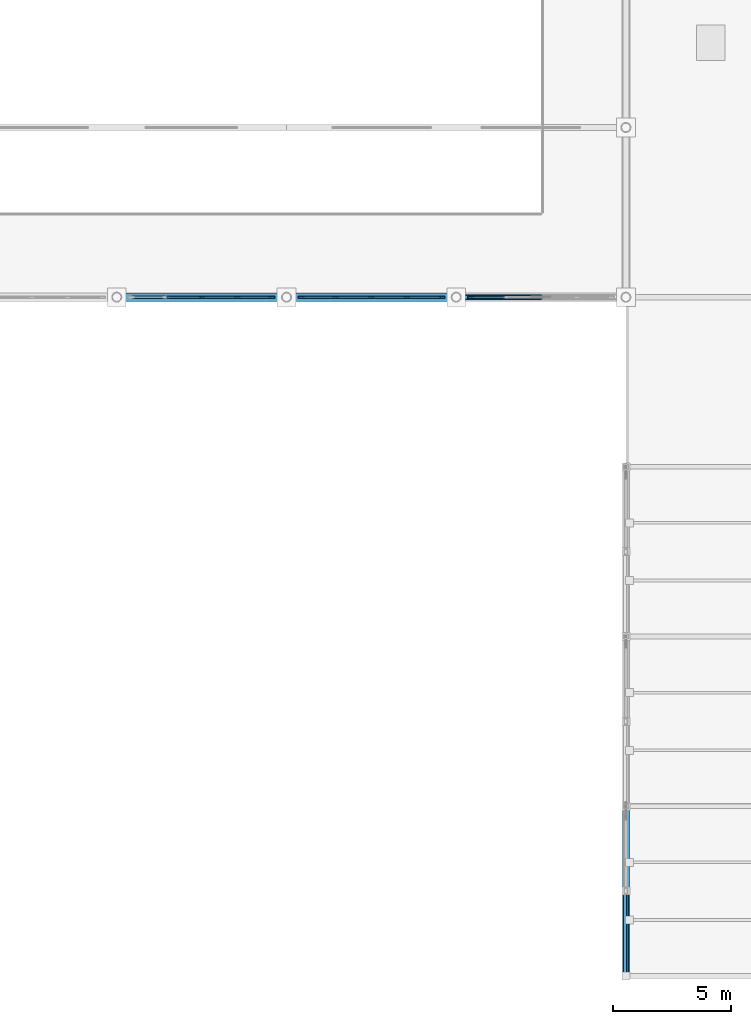
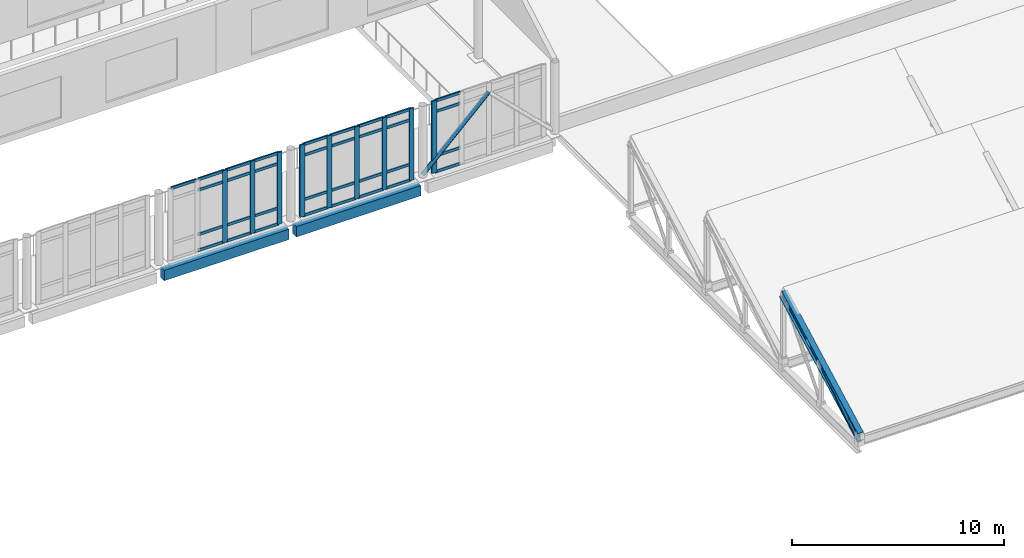
# One storey, part 16 of 62: 45 members, 2 beams, 3 elements without a shape of their own.
"""IFC4 building model written with IfcOpenShell, lengths in metres."""

from ifc_helpers import new_model, si_unit, direction, frame, origin, origin_2d, place, context, subcontext, project, spatial, rectangle, hollow_circle, i_section, extrude, material, layer, layer_set, material_profile, profile_set, type_object, element, aggregate, save


model = new_model("IFC4")

# Units and contexts
model_context = context("Model", 3, precision=1e-05, world=origin(), true_north=direction((0.0, 1.0)))
body_context = subcontext(model_context, "Body", "Model", "MODEL_VIEW")
ifc_project = project(units=[si_unit("LENGTHUNIT", "METRE"), si_unit("AREAUNIT", "SQUARE_METRE"), si_unit("VOLUMEUNIT", "CUBIC_METRE"), si_unit("PLANEANGLEUNIT", "RADIAN"), si_unit("MASSUNIT", "GRAM", prefix="KILO")], contexts=[model_context])

# Site, building, storey
site_placement = place(None, origin())
site = spatial("IfcSite", under=ifc_project, at=site_placement, CompositionType="ELEMENT")
building_placement = place(site_placement, origin())
building = spatial("IfcBuilding", under=site, at=building_placement, Name="Valkovuoma Quantum and Materials Research Institute", CompositionType="ELEMENT")
storey_placement = place(building_placement, frame((0.0, 0.0, 13.1201171875)))
storey = spatial("IfcBuildingStorey", under=building, at=storey_placement, Name="L03", CompositionType="ELEMENT", Elevation=13.1201171875)

# Beams
ifc_material_1 = material(Name="Concrete C40/50", Category="concrete")
ifc_material_profile_1 = material_profile(ifc_material_1, rectangle(XDim=0.35009765625, YDim=0.60009765625, at=origin_2d()), Name="Concrete C40/50")
ifc_profile_set_1 = profile_set([ifc_material_profile_1], Name="Concrete C40/50")
beam_type = type_object("IfcBeamType", Name="Beam-B-SPN600", PredefinedType="SPANDREL", material=ifc_profile_set_1)
for number, where, z_axis, x_axis, name in (
    (1, (79.4033203125, 36.0, -0.650146484375), (1.0, 0.0, 0.0), (0.0, 1.0, 0.0), "L03 beam X-1435"),
    (2, (86.603271484375, 36.0, -0.650146484375), (1.0, 0.0, 0.0), (0.0, 1.0, 0.0), "L03 beam X-1436"),
):
    element("IfcBeam", number, at=place(storey_placement, frame(where, z_axis=z_axis, x_axis=x_axis)), inside=storey, type_object=beam_type, Name=name, PredefinedType="SPANDREL", context=body_context, shape_type="SweptSolid", body=[
        extrude(rectangle(XDim=0.35009765625, YDim=0.60009765625, at=origin_2d()), origin(), (0.0, 0.0, 1.0), 6.79345703125),
    ])

# Curtain wall, members
ifc_material_2 = material(Name="Thermally broken aluminium and triple low-E glazing", Category="aluminium")
ifc_layer = layer(ifc_material_2, 0.219970703125)
ifc_layer_set = layer_set([ifc_layer], Name="Thermally broken aluminium and triple low-E glazing")
curtain_wall_type = type_object("IfcCurtainWallType", Name="CW-CW-02", PredefinedType="NOTDEFINED", material=ifc_layer_set)
curtain_wall_1_placement = place(storey_placement, origin())
curtain_wall_1 = element("IfcCurtainWall", 3, at=curtain_wall_1_placement, inside=storey, type_object=curtain_wall_type, Name="L03 curtain wall 208", PredefinedType="NOTDEFINED")
ifc_material_3 = material(Name="Anodised aluminium 6060-T66", Category="aluminium")
ifc_material_profile_2 = material_profile(ifc_material_3, rectangle(XDim=0.080078125, YDim=0.260009765625, at=origin_2d()), Name="Anodised aluminium 6060-T66")
ifc_profile_set_2 = profile_set([ifc_material_profile_2], Name="Anodised aluminium 6060-T66")
member_type_1 = type_object("IfcMemberType", Name="CWMull-CWM-03", PredefinedType="MULLION", material=ifc_profile_set_2)
member_1_placement = place(storey_placement, frame((82.800048828125, 36.0, 0.0), z_axis=(0.0, 0.0, 1.0), x_axis=(0.0, 1.0, 0.0)))
member_1 = element("IfcMember", 4, at=member_1_placement, type_object=member_type_1, Name="CW-02 mullion 3", PredefinedType="MULLION", context=body_context, shape_type="SweptSolid", body=[
    extrude(rectangle(XDim=0.080078125, YDim=0.260009765625, at=origin_2d()), origin(), (0.0, 0.0, 1.0), 4.159912109375),
])
member_2_placement = place(storey_placement, frame((84.31005859375, 36.0, 0.0), z_axis=(0.0, 0.0, 1.0), x_axis=(0.0, 1.0, 0.0)))
member_2 = element("IfcMember", 5, at=member_2_placement, type_object=member_type_1, Name="CW-02 mullion 4", PredefinedType="MULLION", context=body_context, shape_type="SweptSolid", body=[
    extrude(rectangle(XDim=0.080078125, YDim=0.260009765625, at=origin_2d()), origin(), (0.0, 0.0, 1.0), 4.159912109375),
])
member_3_placement = place(storey_placement, frame((85.780029296875, 36.0, 0.0), z_axis=(0.0, 0.0, 1.0), x_axis=(0.0, 1.0, 0.0)))
member_3 = element("IfcMember", 6, at=member_3_placement, type_object=member_type_1, Name="CW-02 mullion 5", PredefinedType="MULLION", context=body_context, shape_type="SweptSolid", body=[
    extrude(rectangle(XDim=0.080078125, YDim=0.260009765625, at=origin_2d()), origin(), (0.0, 0.0, 1.0), 4.159912109375),
])

curtain_wall_2_placement = place(storey_placement, origin())
curtain_wall_2 = element("IfcCurtainWall", 7, at=curtain_wall_2_placement, inside=storey, type_object=curtain_wall_type, Name="L03 curtain wall 209", PredefinedType="NOTDEFINED")
member_4_placement = place(storey_placement, frame((87.02001953125, 36.0, 0.0), z_axis=(0.0, 0.0, 1.0), x_axis=(0.0, 1.0, 0.0)))
member_4 = element("IfcMember", 8, at=member_4_placement, type_object=member_type_1, Name="CW-02 mullion 1", PredefinedType="MULLION", context=body_context, shape_type="SweptSolid", body=[
    extrude(rectangle(XDim=0.080078125, YDim=0.260009765625, at=origin_2d()), origin(), (0.0, 0.0, 1.0), 4.159912109375),
])
member_5_placement = place(storey_placement, frame((88.489990234375, 36.0, 0.0), z_axis=(0.0, 0.0, 1.0), x_axis=(0.0, 1.0, 0.0)))
member_5 = element("IfcMember", 9, at=member_5_placement, type_object=member_type_1, Name="CW-02 mullion 2", PredefinedType="MULLION", context=body_context, shape_type="SweptSolid", body=[
    extrude(rectangle(XDim=0.080078125, YDim=0.260009765625, at=origin_2d()), origin(), (0.0, 0.0, 1.0), 4.159912109375),
])
member_6_placement = place(storey_placement, frame((90.0, 36.0, 0.0), z_axis=(0.0, 0.0, 1.0), x_axis=(0.0, 1.0, 0.0)))
member_6 = element("IfcMember", 10, at=member_6_placement, type_object=member_type_1, Name="CW-02 mullion 3", PredefinedType="MULLION", context=body_context, shape_type="SweptSolid", body=[
    extrude(rectangle(XDim=0.080078125, YDim=0.260009765625, at=origin_2d()), origin(), (0.0, 0.0, 1.0), 4.159912109375),
])
member_7_placement = place(storey_placement, frame((91.510009765625, 36.0, 0.0), z_axis=(0.0, 0.0, 1.0), x_axis=(0.0, 1.0, 0.0)))
member_7 = element("IfcMember", 11, at=member_7_placement, type_object=member_type_1, Name="CW-02 mullion 4", PredefinedType="MULLION", context=body_context, shape_type="SweptSolid", body=[
    extrude(rectangle(XDim=0.080078125, YDim=0.260009765625, at=origin_2d()), origin(), (0.0, 0.0, 1.0), 4.159912109375),
])
member_8_placement = place(storey_placement, frame((92.97998046875, 36.0, 0.0), z_axis=(0.0, 0.0, 1.0), x_axis=(0.0, 1.0, 0.0)))
member_8 = element("IfcMember", 12, at=member_8_placement, type_object=member_type_1, Name="CW-02 mullion 5", PredefinedType="MULLION", context=body_context, shape_type="SweptSolid", body=[
    extrude(rectangle(XDim=0.080078125, YDim=0.260009765625, at=origin_2d()), origin(), (0.0, 0.0, 1.0), 4.159912109375),
])

# Curtain wall, member
curtain_wall_3_placement = place(storey_placement, origin())
curtain_wall_3 = element("IfcCurtainWall", 13, at=curtain_wall_3_placement, inside=storey, type_object=curtain_wall_type, Name="L03 curtain wall 210", PredefinedType="NOTDEFINED")
member_9_placement = place(storey_placement, frame((94.219970703125, 36.0, 0.0), z_axis=(0.0, 0.0, 1.0), x_axis=(0.0, 1.0, 0.0)))
member_9 = element("IfcMember", 14, at=member_9_placement, type_object=member_type_1, Name="CW-02 mullion 1", PredefinedType="MULLION", context=body_context, shape_type="SweptSolid", body=[
    extrude(rectangle(XDim=0.080078125, YDim=0.260009765625, at=origin_2d()), origin(), (0.0, 0.0, 1.0), 4.159912109375),
])

# Member
ifc_material_4 = material(Name="Anodised aluminium 6060-T66", Category="aluminium")
ifc_material_profile_3 = material_profile(ifc_material_4, rectangle(XDim=0.074951171875, YDim=0.159912109375, at=origin_2d()), Name="Anodised aluminium 6060-T66")
ifc_profile_set_3 = profile_set([ifc_material_profile_3], Name="Anodised aluminium 6060-T66")
member_type_2 = type_object("IfcMemberType", Name="CWTran-CWT-02", PredefinedType="USERDEFINED", material=ifc_profile_set_3)
member_10_placement = place(storey_placement, frame((79.860107421875, 36.0, 4.122314453125), z_axis=(1.0, 0.0, 0.0), x_axis=(0.0, 1.0, 0.0)))
member_10 = element("IfcMember", 15, at=member_10_placement, type_object=member_type_2, Name="CW-02 transom 1.4", ObjectType="TRANSOM", PredefinedType="USERDEFINED", context=body_context, shape_type="SweptSolid", body=[
    extrude(rectangle(XDim=0.074951171875, YDim=0.159912109375, at=origin_2d()), origin(), (0.0, 0.0, 1.0), 1.389892578125),
])

member_11_placement = place(storey_placement, frame((81.330078125, 36.0, 0.037353515625), z_axis=(1.0, 0.0, 0.0), x_axis=(0.0, 1.0, 0.0)))
member_11 = element("IfcMember", 16, at=member_11_placement, type_object=member_type_2, Name="CW-02 transom 2.1", ObjectType="TRANSOM", PredefinedType="USERDEFINED", context=body_context, shape_type="SweptSolid", body=[
    extrude(rectangle(XDim=0.074951171875, YDim=0.159912109375, at=origin_2d()), origin(), (0.0, 0.0, 1.0), 1.429931640625),
])

member_12_placement = place(storey_placement, frame((81.330078125, 36.0, 0.949951171875), z_axis=(1.0, 0.0, 0.0), x_axis=(0.0, 1.0, 0.0)))
member_12 = element("IfcMember", 17, at=member_12_placement, type_object=member_type_2, Name="CW-02 transom 2.2", ObjectType="TRANSOM", PredefinedType="USERDEFINED", context=body_context, shape_type="SweptSolid", body=[
    extrude(rectangle(XDim=0.074951171875, YDim=0.159912109375, at=origin_2d()), origin(), (0.0, 0.0, 1.0), 1.429931640625),
])

member_13_placement = place(storey_placement, frame((81.330078125, 36.0, 3.509765625), z_axis=(1.0, 0.0, 0.0), x_axis=(0.0, 1.0, 0.0)))
member_13 = element("IfcMember", 18, at=member_13_placement, type_object=member_type_2, Name="CW-02 transom 2.3", ObjectType="TRANSOM", PredefinedType="USERDEFINED", context=body_context, shape_type="SweptSolid", body=[
    extrude(rectangle(XDim=0.074951171875, YDim=0.159912109375, at=origin_2d()), origin(), (0.0, 0.0, 1.0), 1.429931640625),
])

member_14_placement = place(storey_placement, frame((81.330078125, 36.0, 4.122314453125), z_axis=(1.0, 0.0, 0.0), x_axis=(0.0, 1.0, 0.0)))
member_14 = element("IfcMember", 19, at=member_14_placement, type_object=member_type_2, Name="CW-02 transom 2.4", ObjectType="TRANSOM", PredefinedType="USERDEFINED", context=body_context, shape_type="SweptSolid", body=[
    extrude(rectangle(XDim=0.074951171875, YDim=0.159912109375, at=origin_2d()), origin(), (0.0, 0.0, 1.0), 1.429931640625),
])

member_15_placement = place(storey_placement, frame((82.840087890625, 36.0, 0.037353515625), z_axis=(1.0, 0.0, 0.0), x_axis=(0.0, 1.0, 0.0)))
member_15 = element("IfcMember", 20, at=member_15_placement, type_object=member_type_2, Name="CW-02 transom 3.1", ObjectType="TRANSOM", PredefinedType="USERDEFINED", context=body_context, shape_type="SweptSolid", body=[
    extrude(rectangle(XDim=0.074951171875, YDim=0.159912109375, at=origin_2d()), origin(), (0.0, 0.0, 1.0), 1.429931640625),
])

member_16_placement = place(storey_placement, frame((82.840087890625, 36.0, 0.949951171875), z_axis=(1.0, 0.0, 0.0), x_axis=(0.0, 1.0, 0.0)))
member_16 = element("IfcMember", 21, at=member_16_placement, type_object=member_type_2, Name="CW-02 transom 3.2", ObjectType="TRANSOM", PredefinedType="USERDEFINED", context=body_context, shape_type="SweptSolid", body=[
    extrude(rectangle(XDim=0.074951171875, YDim=0.159912109375, at=origin_2d()), origin(), (0.0, 0.0, 1.0), 1.429931640625),
])

member_17_placement = place(storey_placement, frame((82.840087890625, 36.0, 3.509765625), z_axis=(1.0, 0.0, 0.0), x_axis=(0.0, 1.0, 0.0)))
member_17 = element("IfcMember", 22, at=member_17_placement, type_object=member_type_2, Name="CW-02 transom 3.3", ObjectType="TRANSOM", PredefinedType="USERDEFINED", context=body_context, shape_type="SweptSolid", body=[
    extrude(rectangle(XDim=0.074951171875, YDim=0.159912109375, at=origin_2d()), origin(), (0.0, 0.0, 1.0), 1.429931640625),
])

member_18_placement = place(storey_placement, frame((82.840087890625, 36.0, 4.122314453125), z_axis=(1.0, 0.0, 0.0), x_axis=(0.0, 1.0, 0.0)))
member_18 = element("IfcMember", 23, at=member_18_placement, type_object=member_type_2, Name="CW-02 transom 3.4", ObjectType="TRANSOM", PredefinedType="USERDEFINED", context=body_context, shape_type="SweptSolid", body=[
    extrude(rectangle(XDim=0.074951171875, YDim=0.159912109375, at=origin_2d()), origin(), (0.0, 0.0, 1.0), 1.429931640625),
])

member_19_placement = place(storey_placement, frame((84.35009765625, 36.0, 0.037353515625), z_axis=(1.0, 0.0, 0.0), x_axis=(0.0, 1.0, 0.0)))
member_19 = element("IfcMember", 24, at=member_19_placement, type_object=member_type_2, Name="CW-02 transom 4.1", ObjectType="TRANSOM", PredefinedType="USERDEFINED", context=body_context, shape_type="SweptSolid", body=[
    extrude(rectangle(XDim=0.074951171875, YDim=0.159912109375, at=origin_2d()), origin(), (0.0, 0.0, 1.0), 1.389892578125),
])

member_20_placement = place(storey_placement, frame((84.35009765625, 36.0, 0.949951171875), z_axis=(1.0, 0.0, 0.0), x_axis=(0.0, 1.0, 0.0)))
member_20 = element("IfcMember", 25, at=member_20_placement, type_object=member_type_2, Name="CW-02 transom 4.2", ObjectType="TRANSOM", PredefinedType="USERDEFINED", context=body_context, shape_type="SweptSolid", body=[
    extrude(rectangle(XDim=0.074951171875, YDim=0.159912109375, at=origin_2d()), origin(), (0.0, 0.0, 1.0), 1.389892578125),
])

member_21_placement = place(storey_placement, frame((84.35009765625, 36.0, 3.509765625), z_axis=(1.0, 0.0, 0.0), x_axis=(0.0, 1.0, 0.0)))
member_21 = element("IfcMember", 26, at=member_21_placement, type_object=member_type_2, Name="CW-02 transom 4.3", ObjectType="TRANSOM", PredefinedType="USERDEFINED", context=body_context, shape_type="SweptSolid", body=[
    extrude(rectangle(XDim=0.074951171875, YDim=0.159912109375, at=origin_2d()), origin(), (0.0, 0.0, 1.0), 1.389892578125),
])

member_22_placement = place(storey_placement, frame((84.35009765625, 36.0, 4.122314453125), z_axis=(1.0, 0.0, 0.0), x_axis=(0.0, 1.0, 0.0)))
member_22 = element("IfcMember", 27, at=member_22_placement, type_object=member_type_2, Name="CW-02 transom 4.4", ObjectType="TRANSOM", PredefinedType="USERDEFINED", context=body_context, shape_type="SweptSolid", body=[
    extrude(rectangle(XDim=0.074951171875, YDim=0.159912109375, at=origin_2d()), origin(), (0.0, 0.0, 1.0), 1.389892578125),
])

aggregate(curtain_wall_1, [member_1, member_2, member_3, member_10, member_11, member_12, member_13, member_14, member_15, member_16, member_17, member_18, member_19, member_20, member_21, member_22])

member_23_placement = place(storey_placement, frame((87.06005859375, 36.0, 0.037353515625), z_axis=(1.0, 0.0, 0.0), x_axis=(0.0, 1.0, 0.0)))
member_23 = element("IfcMember", 28, at=member_23_placement, type_object=member_type_2, Name="CW-02 transom 1.1", ObjectType="TRANSOM", PredefinedType="USERDEFINED", context=body_context, shape_type="SweptSolid", body=[
    extrude(rectangle(XDim=0.074951171875, YDim=0.159912109375, at=origin_2d()), origin(), (0.0, 0.0, 1.0), 1.389892578125),
])

member_24_placement = place(storey_placement, frame((87.06005859375, 36.0, 0.949951171875), z_axis=(1.0, 0.0, 0.0), x_axis=(0.0, 1.0, 0.0)))
member_24 = element("IfcMember", 29, at=member_24_placement, type_object=member_type_2, Name="CW-02 transom 1.2", ObjectType="TRANSOM", PredefinedType="USERDEFINED", context=body_context, shape_type="SweptSolid", body=[
    extrude(rectangle(XDim=0.074951171875, YDim=0.159912109375, at=origin_2d()), origin(), (0.0, 0.0, 1.0), 1.389892578125),
])

member_25_placement = place(storey_placement, frame((87.06005859375, 36.0, 3.509765625), z_axis=(1.0, 0.0, 0.0), x_axis=(0.0, 1.0, 0.0)))
member_25 = element("IfcMember", 30, at=member_25_placement, type_object=member_type_2, Name="CW-02 transom 1.3", ObjectType="TRANSOM", PredefinedType="USERDEFINED", context=body_context, shape_type="SweptSolid", body=[
    extrude(rectangle(XDim=0.074951171875, YDim=0.159912109375, at=origin_2d()), origin(), (0.0, 0.0, 1.0), 1.389892578125),
])

member_26_placement = place(storey_placement, frame((87.06005859375, 36.0, 4.122314453125), z_axis=(1.0, 0.0, 0.0), x_axis=(0.0, 1.0, 0.0)))
member_26 = element("IfcMember", 31, at=member_26_placement, type_object=member_type_2, Name="CW-02 transom 1.4", ObjectType="TRANSOM", PredefinedType="USERDEFINED", context=body_context, shape_type="SweptSolid", body=[
    extrude(rectangle(XDim=0.074951171875, YDim=0.159912109375, at=origin_2d()), origin(), (0.0, 0.0, 1.0), 1.389892578125),
])

member_27_placement = place(storey_placement, frame((88.530029296875, 36.0, 0.037353515625), z_axis=(1.0, 0.0, 0.0), x_axis=(0.0, 1.0, 0.0)))
member_27 = element("IfcMember", 32, at=member_27_placement, type_object=member_type_2, Name="CW-02 transom 2.1", ObjectType="TRANSOM", PredefinedType="USERDEFINED", context=body_context, shape_type="SweptSolid", body=[
    extrude(rectangle(XDim=0.074951171875, YDim=0.159912109375, at=origin_2d()), origin(), (0.0, 0.0, 1.0), 1.429931640625),
])

member_28_placement = place(storey_placement, frame((88.530029296875, 36.0, 0.949951171875), z_axis=(1.0, 0.0, 0.0), x_axis=(0.0, 1.0, 0.0)))
member_28 = element("IfcMember", 33, at=member_28_placement, type_object=member_type_2, Name="CW-02 transom 2.2", ObjectType="TRANSOM", PredefinedType="USERDEFINED", context=body_context, shape_type="SweptSolid", body=[
    extrude(rectangle(XDim=0.074951171875, YDim=0.159912109375, at=origin_2d()), origin(), (0.0, 0.0, 1.0), 1.429931640625),
])

member_29_placement = place(storey_placement, frame((88.530029296875, 36.0, 3.509765625), z_axis=(1.0, 0.0, 0.0), x_axis=(0.0, 1.0, 0.0)))
member_29 = element("IfcMember", 34, at=member_29_placement, type_object=member_type_2, Name="CW-02 transom 2.3", ObjectType="TRANSOM", PredefinedType="USERDEFINED", context=body_context, shape_type="SweptSolid", body=[
    extrude(rectangle(XDim=0.074951171875, YDim=0.159912109375, at=origin_2d()), origin(), (0.0, 0.0, 1.0), 1.429931640625),
])

member_30_placement = place(storey_placement, frame((88.530029296875, 36.0, 4.122314453125), z_axis=(1.0, 0.0, 0.0), x_axis=(0.0, 1.0, 0.0)))
member_30 = element("IfcMember", 35, at=member_30_placement, type_object=member_type_2, Name="CW-02 transom 2.4", ObjectType="TRANSOM", PredefinedType="USERDEFINED", context=body_context, shape_type="SweptSolid", body=[
    extrude(rectangle(XDim=0.074951171875, YDim=0.159912109375, at=origin_2d()), origin(), (0.0, 0.0, 1.0), 1.429931640625),
])

member_31_placement = place(storey_placement, frame((90.0400390625, 36.0, 0.037353515625), z_axis=(1.0, 0.0, 0.0), x_axis=(0.0, 1.0, 0.0)))
member_31 = element("IfcMember", 36, at=member_31_placement, type_object=member_type_2, Name="CW-02 transom 3.1", ObjectType="TRANSOM", PredefinedType="USERDEFINED", context=body_context, shape_type="SweptSolid", body=[
    extrude(rectangle(XDim=0.074951171875, YDim=0.159912109375, at=origin_2d()), origin(), (0.0, 0.0, 1.0), 1.429931640625),
])

member_32_placement = place(storey_placement, frame((90.0400390625, 36.0, 0.949951171875), z_axis=(1.0, 0.0, 0.0), x_axis=(0.0, 1.0, 0.0)))
member_32 = element("IfcMember", 37, at=member_32_placement, type_object=member_type_2, Name="CW-02 transom 3.2", ObjectType="TRANSOM", PredefinedType="USERDEFINED", context=body_context, shape_type="SweptSolid", body=[
    extrude(rectangle(XDim=0.074951171875, YDim=0.159912109375, at=origin_2d()), origin(), (0.0, 0.0, 1.0), 1.429931640625),
])

member_33_placement = place(storey_placement, frame((90.0400390625, 36.0, 3.509765625), z_axis=(1.0, 0.0, 0.0), x_axis=(0.0, 1.0, 0.0)))
member_33 = element("IfcMember", 38, at=member_33_placement, type_object=member_type_2, Name="CW-02 transom 3.3", ObjectType="TRANSOM", PredefinedType="USERDEFINED", context=body_context, shape_type="SweptSolid", body=[
    extrude(rectangle(XDim=0.074951171875, YDim=0.159912109375, at=origin_2d()), origin(), (0.0, 0.0, 1.0), 1.429931640625),
])

member_34_placement = place(storey_placement, frame((90.0400390625, 36.0, 4.122314453125), z_axis=(1.0, 0.0, 0.0), x_axis=(0.0, 1.0, 0.0)))
member_34 = element("IfcMember", 39, at=member_34_placement, type_object=member_type_2, Name="CW-02 transom 3.4", ObjectType="TRANSOM", PredefinedType="USERDEFINED", context=body_context, shape_type="SweptSolid", body=[
    extrude(rectangle(XDim=0.074951171875, YDim=0.159912109375, at=origin_2d()), origin(), (0.0, 0.0, 1.0), 1.429931640625),
])

member_35_placement = place(storey_placement, frame((91.550048828125, 36.0, 0.037353515625), z_axis=(1.0, 0.0, 0.0), x_axis=(0.0, 1.0, 0.0)))
member_35 = element("IfcMember", 40, at=member_35_placement, type_object=member_type_2, Name="CW-02 transom 4.1", ObjectType="TRANSOM", PredefinedType="USERDEFINED", context=body_context, shape_type="SweptSolid", body=[
    extrude(rectangle(XDim=0.074951171875, YDim=0.159912109375, at=origin_2d()), origin(), (0.0, 0.0, 1.0), 1.389892578125),
])

member_36_placement = place(storey_placement, frame((91.550048828125, 36.0, 0.949951171875), z_axis=(1.0, 0.0, 0.0), x_axis=(0.0, 1.0, 0.0)))
member_36 = element("IfcMember", 41, at=member_36_placement, type_object=member_type_2, Name="CW-02 transom 4.2", ObjectType="TRANSOM", PredefinedType="USERDEFINED", context=body_context, shape_type="SweptSolid", body=[
    extrude(rectangle(XDim=0.074951171875, YDim=0.159912109375, at=origin_2d()), origin(), (0.0, 0.0, 1.0), 1.389892578125),
])

member_37_placement = place(storey_placement, frame((91.550048828125, 36.0, 3.509765625), z_axis=(1.0, 0.0, 0.0), x_axis=(0.0, 1.0, 0.0)))
member_37 = element("IfcMember", 42, at=member_37_placement, type_object=member_type_2, Name="CW-02 transom 4.3", ObjectType="TRANSOM", PredefinedType="USERDEFINED", context=body_context, shape_type="SweptSolid", body=[
    extrude(rectangle(XDim=0.074951171875, YDim=0.159912109375, at=origin_2d()), origin(), (0.0, 0.0, 1.0), 1.389892578125),
])

member_38_placement = place(storey_placement, frame((91.550048828125, 36.0, 4.122314453125), z_axis=(1.0, 0.0, 0.0), x_axis=(0.0, 1.0, 0.0)))
member_38 = element("IfcMember", 43, at=member_38_placement, type_object=member_type_2, Name="CW-02 transom 4.4", ObjectType="TRANSOM", PredefinedType="USERDEFINED", context=body_context, shape_type="SweptSolid", body=[
    extrude(rectangle(XDim=0.074951171875, YDim=0.159912109375, at=origin_2d()), origin(), (0.0, 0.0, 1.0), 1.389892578125),
])

aggregate(curtain_wall_2, [member_4, member_5, member_6, member_7, member_8, member_23, member_24, member_25, member_26, member_27, member_28, member_29, member_30, member_31, member_32, member_33, member_34, member_35, member_36, member_37, member_38])

member_39_placement = place(storey_placement, frame((94.260009765625, 36.0, 0.037353515625), z_axis=(1.0, 0.0, 0.0), x_axis=(0.0, 1.0, 0.0)))
member_39 = element("IfcMember", 44, at=member_39_placement, type_object=member_type_2, Name="CW-02 transom 1.1", ObjectType="TRANSOM", PredefinedType="USERDEFINED", context=body_context, shape_type="SweptSolid", body=[
    extrude(rectangle(XDim=0.074951171875, YDim=0.159912109375, at=origin_2d()), origin(), (0.0, 0.0, 1.0), 1.389892578125),
])

member_40_placement = place(storey_placement, frame((94.260009765625, 36.0, 0.949951171875), z_axis=(1.0, 0.0, 0.0), x_axis=(0.0, 1.0, 0.0)))
member_40 = element("IfcMember", 45, at=member_40_placement, type_object=member_type_2, Name="CW-02 transom 1.2", ObjectType="TRANSOM", PredefinedType="USERDEFINED", context=body_context, shape_type="SweptSolid", body=[
    extrude(rectangle(XDim=0.074951171875, YDim=0.159912109375, at=origin_2d()), origin(), (0.0, 0.0, 1.0), 1.389892578125),
])

member_41_placement = place(storey_placement, frame((94.260009765625, 36.0, 3.509765625), z_axis=(1.0, 0.0, 0.0), x_axis=(0.0, 1.0, 0.0)))
member_41 = element("IfcMember", 46, at=member_41_placement, type_object=member_type_2, Name="CW-02 transom 1.3", ObjectType="TRANSOM", PredefinedType="USERDEFINED", context=body_context, shape_type="SweptSolid", body=[
    extrude(rectangle(XDim=0.074951171875, YDim=0.159912109375, at=origin_2d()), origin(), (0.0, 0.0, 1.0), 1.389892578125),
])

member_42_placement = place(storey_placement, frame((94.260009765625, 36.0, 4.122314453125), z_axis=(1.0, 0.0, 0.0), x_axis=(0.0, 1.0, 0.0)))
member_42 = element("IfcMember", 47, at=member_42_placement, type_object=member_type_2, Name="CW-02 transom 1.4", ObjectType="TRANSOM", PredefinedType="USERDEFINED", context=body_context, shape_type="SweptSolid", body=[
    extrude(rectangle(XDim=0.074951171875, YDim=0.159912109375, at=origin_2d()), origin(), (0.0, 0.0, 1.0), 1.389892578125),
])

aggregate(curtain_wall_3, [member_9, member_39, member_40, member_41, member_42])

# Members
ifc_material_5 = material(Name="Steel S355J2H", Category="steel")
ifc_material_profile_4 = material_profile(ifc_material_5, hollow_circle(Radius=0.109619140625, WallThickness=0.010009765625, at=origin_2d()), Name="Steel S355J2H")
ifc_profile_set_4 = profile_set([ifc_material_profile_4], Name="Steel S355J2H")
member_type_3 = type_object("IfcMemberType", Name="Mem-M-BRC219", PredefinedType="BRACE", material=ifc_profile_set_4)
member_43_placement = place(storey_placement, frame((100.800048828125, 7.199951171875, -0.35009765625), z_axis=(0.0, 0.84536627719, 0.53418709961), x_axis=(-1.0, 0.0, 0.0)))
element("IfcMember", 48, at=member_43_placement, inside=storey, type_object=member_type_3, Name="L03 VOL1 sawtooth web brace 1.1A", PredefinedType="BRACE", context=body_context, shape_type="SweptSolid", body=[
    extrude(hollow_circle(Radius=0.109619140625, WallThickness=0.010009765625, at=origin_2d()), origin(), (0.0, 0.0, 1.0), 4.258544921875),
])
member_44_placement = place(storey_placement, frame((93.60009765625, 36.0, 0.099853515625), z_axis=(0.715984969996, 0.0, 0.69811569438), x_axis=(0.0, 1.0, 0.0)))
element("IfcMember", 49, at=member_44_placement, inside=storey, type_object=member_type_3, Name="L03 chevron wind brace 08A", PredefinedType="BRACE", context=body_context, shape_type="SweptSolid", body=[
    extrude(hollow_circle(Radius=0.109619140625, WallThickness=0.010009765625, at=origin_2d()), origin(), (0.0, 0.0, 1.0), 5.02783203125),
])
ifc_material_6 = material(Name="Steel S355J2", Category="steel")
ifc_material_profile_5 = material_profile(ifc_material_6, i_section(OverallWidth=0.300048828125, OverallDepth=0.5, WebThickness=0.014404296875, FlangeThickness=0.028076171875, FilletRadius=0.027099609375, at=origin_2d()), Name="Steel S355J2")
ifc_profile_set_5 = profile_set([ifc_material_profile_5], Name="Steel S355J2")
member_type_4 = type_object("IfcMemberType", Name="Mem-M-CHD500", PredefinedType="CHORD", material=ifc_profile_set_5)
member_45_placement = place(storey_placement, frame((100.800048828125, 7.199951171875, 0.0), z_axis=(0.0, 0.881849996116, 0.471530046074), x_axis=(-1.0, 0.0, 0.0)))
element("IfcMember", 50, at=member_45_placement, inside=storey, type_object=member_type_4, Name="L03 VOL1 sawtooth top chord 1.1", PredefinedType="CHORD", context=body_context, shape_type="SweptSolid", body=[
    extrude(i_section(OverallWidth=0.300048828125, OverallDepth=0.5, WebThickness=0.014404296875, FlangeThickness=0.028076171875, FilletRadius=0.027099609375, at=origin_2d()), origin(), (0.0, 0.0, 1.0), 8.16455078125),
])

save(model, "model.ifc")
